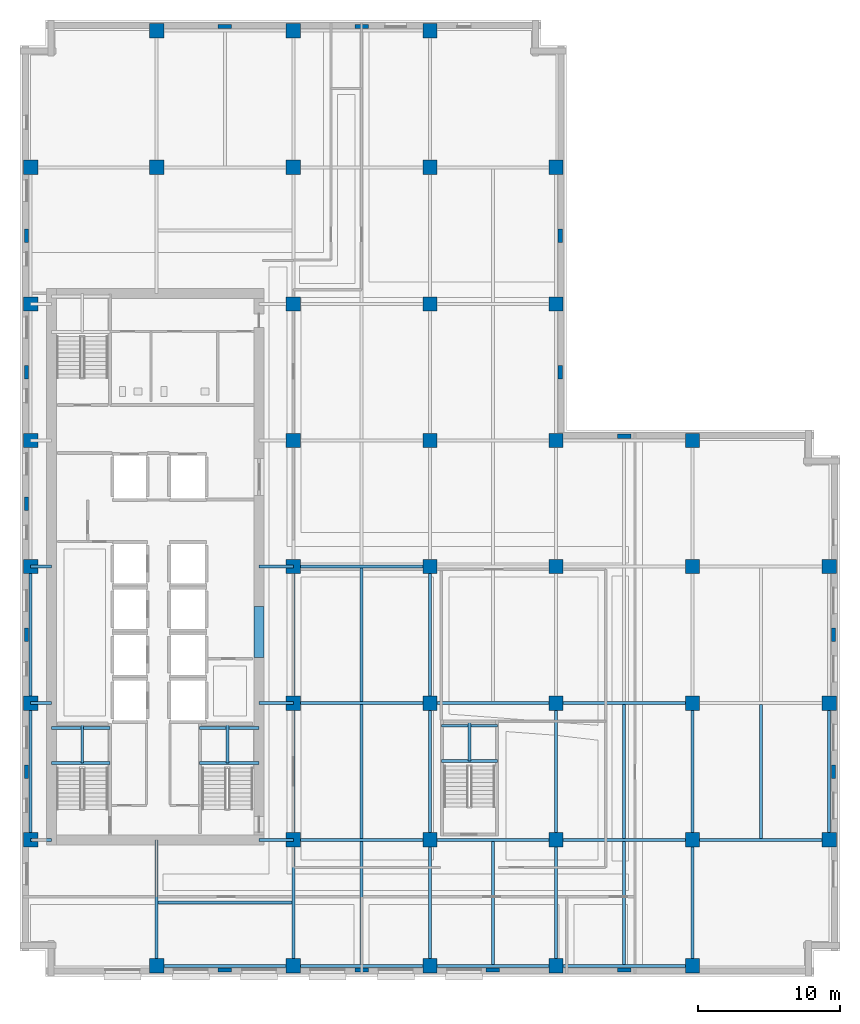
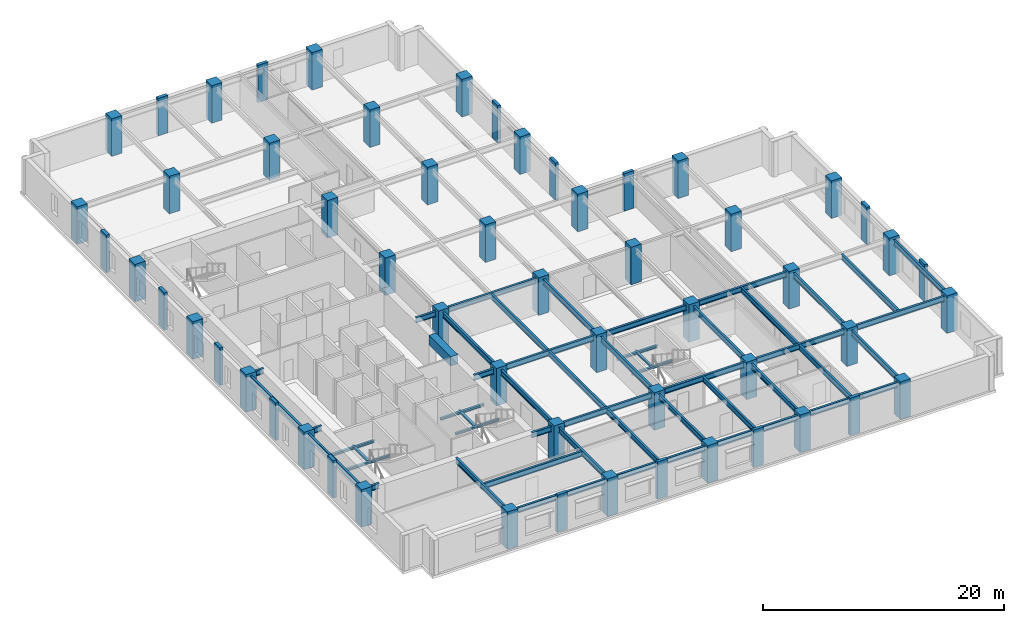
# One storey, part 1 of 12: 56 columns, 50 beams.
"""IFC4 building model written with IfcOpenShell, lengths in metres."""

from ifc_helpers import new_model, si_unit, direction, frame, origin, origin_2d, place, context, subcontext, project, spatial, rectangle, i_section, extrude, material, material_profile, profile_set, type_object, element, save


model = new_model("IFC4")

# Units and contexts
model_context = context("Model", 3, precision=1e-05, world=origin(), true_north=direction((0.0, 1.0)))
body_context = subcontext(model_context, "Body", "Model", "MODEL_VIEW")
ifc_project = project(units=[si_unit("LENGTHUNIT", "METRE"), si_unit("AREAUNIT", "SQUARE_METRE"), si_unit("VOLUMEUNIT", "CUBIC_METRE"), si_unit("PLANEANGLEUNIT", "RADIAN"), si_unit("MASSUNIT", "GRAM", prefix="KILO")], contexts=[model_context])

# Site, building, storey
site_placement = place(None, origin())
site = spatial("IfcSite", under=ifc_project, at=site_placement, CompositionType="ELEMENT")
building_placement = place(site_placement, origin())
building = spatial("IfcBuilding", under=site, at=building_placement, Name="Norrvale University Quadrangle", CompositionType="ELEMENT")
storey_placement = place(building_placement, frame((0.0, 0.0, 135.60009765625)))
storey = spatial("IfcBuildingStorey", under=building, at=storey_placement, Name="L34", CompositionType="ELEMENT", Elevation=135.60009765625)

# Columns
ifc_material_1 = material(Name="Red Manganese Brick Concrete C60/75", Category="concrete")
ifc_material_profile_1 = material_profile(ifc_material_1, rectangle(XDim=0.949951171875, YDim=0.300048828125, at=origin_2d()), Name="Red Manganese Brick Concrete C60/75")
ifc_profile_set_1 = profile_set([ifc_material_profile_1], Name="Red Manganese Brick Concrete C60/75")
column_type_1 = type_object("IfcColumnType", Name="Column Brick Pier 950x300", PredefinedType="PILASTER", material=ifc_profile_set_1)
for number, where, z_axis, x_axis, name in (
    (1, (0.449951171875, 14.39990234375, 0.0), (0.0, 0.0, 1.0), (0.0, 1.0, 0.0), "Exterior Brick Facade Pilaster L34-01"),
    (2, (0.449951171875, 24.0, 0.0), (0.0, 0.0, 1.0), (0.0, 1.0, 0.0), "Exterior Brick Facade Pilaster L34-02"),
    (3, (0.449951171875, 33.199951171875, 0.0), (0.0, 0.0, 1.0), (0.0, 1.0, 0.0), "Exterior Brick Facade Pilaster L34-03"),
    (4, (0.449951171875, 42.449951171875, 0.0), (0.0, 0.0, 1.0), (0.0, 1.0, 0.0), "Exterior Brick Facade Pilaster L34-04"),
    (5, (0.449951171875, 52.050048828125, 0.0), (0.0, 0.0, 1.0), (0.0, 1.0, 0.0), "Exterior Brick Facade Pilaster L34-05"),
    (6, (14.39990234375, 0.449951171875, 0.0), (0.0, 0.0, 1.0), (1.0, 0.0, 0.0), "Exterior Brick Facade Pilaster L34-06"),
    (7, (24.0, 0.449951171875, 0.0), (0.0, 0.0, 1.0), (1.0, 0.0, 0.0), "Exterior Brick Facade Pilaster L34-07"),
    (8, (33.199951171875, 0.449951171875, 0.0), (0.0, 0.0, 1.0), (1.0, 0.0, 0.0), "Exterior Brick Facade Pilaster L34-08"),
    (9, (42.449951171875, 0.449951171875, 0.0), (0.0, 0.0, 1.0), (1.0, 0.0, 0.0), "Exterior Brick Facade Pilaster L34-09"),
    (10, (57.14990234375, 14.39990234375, 0.0), (0.0, 0.0, 1.0), (0.0, 1.0, 0.0), "Exterior Brick Facade Pilaster L34-10"),
    (11, (57.14990234375, 24.0, 0.0), (0.0, 0.0, 1.0), (0.0, 1.0, 0.0), "Exterior Brick Facade Pilaster L34-11"),
    (12, (14.39990234375, 66.75, 0.0), (0.0, 0.0, 1.0), (1.0, 0.0, 0.0), "Exterior Brick Facade Pilaster L34-12"),
    (13, (24.0, 66.75, 0.0), (0.0, 0.0, 1.0), (1.0, 0.0, 0.0), "Exterior Brick Facade Pilaster L34-13"),
    (14, (37.949951171875, 42.449951171875, 0.0), (0.0, 0.0, 1.0), (0.0, 1.0, 0.0), "Exterior Brick Facade Pilaster L34-14"),
    (15, (37.949951171875, 52.050048828125, 0.0), (0.0, 0.0, 1.0), (0.0, 1.0, 0.0), "Exterior Brick Facade Pilaster L34-15"),
    (16, (42.449951171875, 37.949951171875, 0.0), (0.0, 0.0, 1.0), (1.0, 0.0, 0.0), "Exterior Brick Facade Pilaster L34-16"),
):
    element("IfcColumn", number, at=place(storey_placement, frame(where, z_axis=z_axis, x_axis=x_axis)), inside=storey, type_object=column_type_1, Name=name, PredefinedType="PILASTER", context=body_context, shape_type="SweptSolid", body=[
        extrude(rectangle(XDim=0.949951171875, YDim=0.300048828125, at=origin_2d()), origin(), (0.0, 0.0, 1.0), 3.7998046875),
    ])
ifc_material_2 = material(Name="Concrete C60/75", Category="concrete")
ifc_material_profile_2 = material_profile(ifc_material_2, rectangle(XDim=1.0, YDim=1.0, at=origin_2d()), Name="Concrete C60/75")
ifc_profile_set_2 = profile_set([ifc_material_profile_2], Name="Concrete C60/75")
column_type_2 = type_object("IfcColumnType", Name="Column Tower Z2 1000x1000", PredefinedType="COLUMN", material=ifc_profile_set_2)
for number, where, z_axis, x_axis, name in (
    (17, (0.75, 9.60009765625, 0.0), (0.0, 0.0, 1.0), (1.0, 0.0, 0.0), "Tower Column L34-T01"),
    (18, (0.75, 19.199951171875, 0.0), (0.0, 0.0, 1.0), (1.0, 0.0, 0.0), "Tower Column L34-T02"),
    (19, (0.75, 28.800048828125, 0.0), (0.0, 0.0, 1.0), (1.0, 0.0, 0.0), "Tower Column L34-T03"),
    (20, (0.75, 37.64990234375, 0.0), (0.0, 0.0, 1.0), (1.0, 0.0, 0.0), "Tower Column L34-T04"),
    (21, (0.75, 47.25, 0.0), (0.0, 0.0, 1.0), (1.0, 0.0, 0.0), "Tower Column L34-T05"),
    (22, (0.75, 56.85009765625, 0.0), (0.0, 0.0, 1.0), (1.0, 0.0, 0.0), "Tower Column L34-T06"),
    (23, (9.60009765625, 0.75, 0.0), (0.0, 0.0, 1.0), (1.0, 0.0, 0.0), "Tower Column L34-T07"),
    (24, (9.60009765625, 56.85009765625, 0.0), (0.0, 0.0, 1.0), (1.0, 0.0, 0.0), "Tower Column L34-T08"),
    (25, (9.60009765625, 66.449951171875, 0.0), (0.0, 0.0, 1.0), (1.0, 0.0, 0.0), "Tower Column L34-T09"),
    (26, (19.199951171875, 0.75, 0.0), (0.0, 0.0, 1.0), (1.0, 0.0, 0.0), "Tower Column L34-T10"),
    (27, (19.199951171875, 9.60009765625, 0.0), (0.0, 0.0, 1.0), (1.0, 0.0, 0.0), "Tower Column L34-T11"),
    (28, (19.199951171875, 19.199951171875, 0.0), (0.0, 0.0, 1.0), (1.0, 0.0, 0.0), "Tower Column L34-T12"),
    (29, (19.199951171875, 28.800048828125, 0.0), (0.0, 0.0, 1.0), (1.0, 0.0, 0.0), "Tower Column L34-T13"),
    (30, (19.199951171875, 37.64990234375, 0.0), (0.0, 0.0, 1.0), (1.0, 0.0, 0.0), "Tower Column L34-T14"),
    (31, (19.199951171875, 47.25, 0.0), (0.0, 0.0, 1.0), (1.0, 0.0, 0.0), "Tower Column L34-T15"),
    (32, (19.199951171875, 56.85009765625, 0.0), (0.0, 0.0, 1.0), (1.0, 0.0, 0.0), "Tower Column L34-T16"),
    (33, (19.199951171875, 66.449951171875, 0.0), (0.0, 0.0, 1.0), (1.0, 0.0, 0.0), "Tower Column L34-T17"),
    (34, (28.800048828125, 0.75, 0.0), (0.0, 0.0, 1.0), (1.0, 0.0, 0.0), "Tower Column L34-T18"),
    (35, (28.800048828125, 9.60009765625, 0.0), (0.0, 0.0, 1.0), (1.0, 0.0, 0.0), "Tower Column L34-T19"),
    (36, (28.800048828125, 19.199951171875, 0.0), (0.0, 0.0, 1.0), (1.0, 0.0, 0.0), "Tower Column L34-T20"),
    (37, (28.800048828125, 28.800048828125, 0.0), (0.0, 0.0, 1.0), (1.0, 0.0, 0.0), "Tower Column L34-T21"),
    (38, (28.800048828125, 37.64990234375, 0.0), (0.0, 0.0, 1.0), (1.0, 0.0, 0.0), "Tower Column L34-T22"),
    (39, (28.800048828125, 47.25, 0.0), (0.0, 0.0, 1.0), (1.0, 0.0, 0.0), "Tower Column L34-T23"),
    (40, (28.800048828125, 56.85009765625, 0.0), (0.0, 0.0, 1.0), (1.0, 0.0, 0.0), "Tower Column L34-T24"),
    (41, (28.800048828125, 66.449951171875, 0.0), (0.0, 0.0, 1.0), (1.0, 0.0, 0.0), "Tower Column L34-T25"),
    (42, (37.64990234375, 0.75, 0.0), (0.0, 0.0, 1.0), (1.0, 0.0, 0.0), "Tower Column L34-T26"),
    (43, (37.64990234375, 9.60009765625, 0.0), (0.0, 0.0, 1.0), (1.0, 0.0, 0.0), "Tower Column L34-T27"),
    (44, (37.64990234375, 19.199951171875, 0.0), (0.0, 0.0, 1.0), (1.0, 0.0, 0.0), "Tower Column L34-T28"),
    (45, (37.64990234375, 28.800048828125, 0.0), (0.0, 0.0, 1.0), (1.0, 0.0, 0.0), "Tower Column L34-T29"),
    (46, (37.64990234375, 37.64990234375, 0.0), (0.0, 0.0, 1.0), (1.0, 0.0, 0.0), "Tower Column L34-T30"),
    (47, (37.64990234375, 47.25, 0.0), (0.0, 0.0, 1.0), (1.0, 0.0, 0.0), "Tower Column L34-T31"),
    (48, (37.64990234375, 56.85009765625, 0.0), (0.0, 0.0, 1.0), (1.0, 0.0, 0.0), "Tower Column L34-T32"),
    (49, (47.25, 0.75, 0.0), (0.0, 0.0, 1.0), (1.0, 0.0, 0.0), "Tower Column L34-T33"),
    (50, (47.25, 9.60009765625, 0.0), (0.0, 0.0, 1.0), (1.0, 0.0, 0.0), "Tower Column L34-T34"),
    (51, (47.25, 19.199951171875, 0.0), (0.0, 0.0, 1.0), (1.0, 0.0, 0.0), "Tower Column L34-T35"),
    (52, (47.25, 28.800048828125, 0.0), (0.0, 0.0, 1.0), (1.0, 0.0, 0.0), "Tower Column L34-T36"),
    (53, (47.25, 37.64990234375, 0.0), (0.0, 0.0, 1.0), (1.0, 0.0, 0.0), "Tower Column L34-T37"),
    (54, (56.85009765625, 9.60009765625, 0.0), (0.0, 0.0, 1.0), (1.0, 0.0, 0.0), "Tower Column L34-T38"),
    (55, (56.85009765625, 19.199951171875, 0.0), (0.0, 0.0, 1.0), (1.0, 0.0, 0.0), "Tower Column L34-T39"),
    (56, (56.85009765625, 28.800048828125, 0.0), (0.0, 0.0, 1.0), (1.0, 0.0, 0.0), "Tower Column L34-T40"),
):
    element("IfcColumn", number, at=place(storey_placement, frame(where, z_axis=z_axis, x_axis=x_axis)), inside=storey, type_object=column_type_2, Name=name, PredefinedType="COLUMN", context=body_context, shape_type="SweptSolid", body=[
        extrude(rectangle(XDim=1.0, YDim=1.0, at=origin_2d()), origin(), (0.0, 0.0, 1.0), 3.7998046875),
    ])

# Beams
ifc_material_3 = material(Name="Concrete C80/95", Category="concrete")
ifc_material_profile_3 = material_profile(ifc_material_3, rectangle(XDim=0.699951171875, YDim=0.949951171875, at=origin_2d()), Name="Concrete C80/95")
ifc_profile_set_3 = profile_set([ifc_material_profile_3], Name="Concrete C80/95")
beam_type_1 = type_object("IfcBeamType", Name="Beam Core Link 700x950", PredefinedType="LINTEL", material=ifc_profile_set_3)
beam_1_placement = place(storey_placement, frame((16.800048828125, 22.39990234375, 3.06494140625), z_axis=(0.0, 1.0, 0.0), x_axis=(-1.0, 0.0, 0.0)))
element("IfcBeam", 57, at=beam_1_placement, inside=storey, type_object=beam_type_1, Name="Core Coupling Lintel Beam L34-1", PredefinedType="LINTEL", context=body_context, shape_type="SweptSolid", body=[
    extrude(rectangle(XDim=0.699951171875, YDim=0.949951171875, at=origin_2d()), origin(), (0.0, 0.0, 1.0), 3.60009765625),
])
ifc_material_4 = material(Name="Steel 350W", Category="steel")
ifc_material_profile_4 = material_profile(ifc_material_4, i_section(OverallWidth=0.2119140625, OverallDepth=0.5439453125, WebThickness=0.01318359375, FlangeThickness=0.021240234375, FilletRadius=0.013916015625, at=origin_2d()), Name="Steel 350W")
ifc_profile_set_4 = profile_set([ifc_material_profile_4], Name="Steel 350W")
beam_type_2 = type_object("IfcBeamType", Name="Beam Floor W530x123", PredefinedType="BEAM", material=ifc_profile_set_4)
beam_2_placement = place(storey_placement, frame((9.60009765625, 0.75, 3.267822265625), z_axis=(1.0, 0.0, 0.0), x_axis=(0.0, 1.0, 0.0)))
element("IfcBeam", 58, at=beam_2_placement, inside=storey, type_object=beam_type_2, Name="Beam Floor W530x123 BM-L34-GX001", PredefinedType="BEAM", context=body_context, shape_type="SweptSolid", body=[
    extrude(i_section(OverallWidth=0.2119140625, OverallDepth=0.5439453125, WebThickness=0.01318359375, FlangeThickness=0.021240234375, FilletRadius=0.013916015625, at=origin_2d()), origin(), (0.0, 0.0, 1.0), 9.599853515625),
])
beam_3_placement = place(storey_placement, frame((19.199951171875, 0.75, 3.267822265625), z_axis=(1.0, 0.0, 0.0), x_axis=(0.0, 1.0, 0.0)))
element("IfcBeam", 59, at=beam_3_placement, inside=storey, type_object=beam_type_2, Name="Beam Floor W530x123 BM-L34-GX002", PredefinedType="BEAM", context=body_context, shape_type="SweptSolid", body=[
    extrude(i_section(OverallWidth=0.2119140625, OverallDepth=0.5439453125, WebThickness=0.01318359375, FlangeThickness=0.021240234375, FilletRadius=0.013916015625, at=origin_2d()), origin(), (0.0, 0.0, 1.0), 9.60009765625),
])
beam_4_placement = place(storey_placement, frame((28.800048828125, 0.75, 3.267822265625), z_axis=(1.0, 0.0, 0.0), x_axis=(0.0, 1.0, 0.0)))
element("IfcBeam", 60, at=beam_4_placement, inside=storey, type_object=beam_type_2, Name="Beam Floor W530x123 BM-L34-GX003", PredefinedType="BEAM", context=body_context, shape_type="SweptSolid", body=[
    extrude(i_section(OverallWidth=0.2119140625, OverallDepth=0.5439453125, WebThickness=0.01318359375, FlangeThickness=0.021240234375, FilletRadius=0.013916015625, at=origin_2d()), origin(), (0.0, 0.0, 1.0), 8.849853515625),
])
for number, where, z_axis, x_axis, name in (
    (61, (37.64990234375, 0.75, 3.267822265625), (1.0, 0.0, 0.0), (0.0, 1.0, 0.0), "Beam Floor W530x123 BM-L34-GX004"),
    (62, (19.199951171875, 9.60009765625, 3.267822265625), (1.0, 0.0, 0.0), (0.0, 1.0, 0.0), "Beam Floor W530x123 BM-L34-GX005"),
):
    element("IfcBeam", number, at=place(storey_placement, frame(where, z_axis=z_axis, x_axis=x_axis)), inside=storey, type_object=beam_type_2, Name=name, PredefinedType="BEAM", context=body_context, shape_type="SweptSolid", body=[
        extrude(i_section(OverallWidth=0.2119140625, OverallDepth=0.5439453125, WebThickness=0.01318359375, FlangeThickness=0.021240234375, FilletRadius=0.013916015625, at=origin_2d()), origin(), (0.0, 0.0, 1.0), 9.60009765625),
    ])
beam_5_placement = place(storey_placement, frame((28.800048828125, 9.60009765625, 3.267822265625), z_axis=(1.0, 0.0, 0.0), x_axis=(0.0, 1.0, 0.0)))
element("IfcBeam", 63, at=beam_5_placement, inside=storey, type_object=beam_type_2, Name="Beam Floor W530x123 BM-L34-GX006", PredefinedType="BEAM", context=body_context, shape_type="SweptSolid", body=[
    extrude(i_section(OverallWidth=0.2119140625, OverallDepth=0.5439453125, WebThickness=0.01318359375, FlangeThickness=0.021240234375, FilletRadius=0.013916015625, at=origin_2d()), origin(), (0.0, 0.0, 1.0), 8.849853515625),
])
for number, where, z_axis, x_axis, name in (
    (64, (37.64990234375, 9.60009765625, 3.267822265625), (1.0, 0.0, 0.0), (0.0, 1.0, 0.0), "Beam Floor W530x123 BM-L34-GX007"),
    (65, (47.25, 9.60009765625, 3.267822265625), (1.0, 0.0, 0.0), (0.0, 1.0, 0.0), "Beam Floor W530x123 BM-L34-GX008"),
    (66, (19.199951171875, 19.199951171875, 3.267822265625), (1.0, 0.0, 0.0), (0.0, 1.0, 0.0), "Beam Floor W530x123 BM-L34-GX009"),
):
    element("IfcBeam", number, at=place(storey_placement, frame(where, z_axis=z_axis, x_axis=x_axis)), inside=storey, type_object=beam_type_2, Name=name, PredefinedType="BEAM", context=body_context, shape_type="SweptSolid", body=[
        extrude(i_section(OverallWidth=0.2119140625, OverallDepth=0.5439453125, WebThickness=0.01318359375, FlangeThickness=0.021240234375, FilletRadius=0.013916015625, at=origin_2d()), origin(), (0.0, 0.0, 1.0), 9.60009765625),
    ])
beam_6_placement = place(storey_placement, frame((28.800048828125, 19.199951171875, 3.267822265625), z_axis=(1.0, 0.0, 0.0), x_axis=(0.0, 1.0, 0.0)))
element("IfcBeam", 67, at=beam_6_placement, inside=storey, type_object=beam_type_2, Name="Beam Floor W530x123 BM-L34-GX010", PredefinedType="BEAM", context=body_context, shape_type="SweptSolid", body=[
    extrude(i_section(OverallWidth=0.2119140625, OverallDepth=0.5439453125, WebThickness=0.01318359375, FlangeThickness=0.021240234375, FilletRadius=0.013916015625, at=origin_2d()), origin(), (0.0, 0.0, 1.0), 8.849853515625),
])
for number, where, z_axis, x_axis, name in (
    (68, (37.64990234375, 19.199951171875, 3.267822265625), (1.0, 0.0, 0.0), (0.0, 1.0, 0.0), "Beam Floor W530x123 BM-L34-GX011"),
    (69, (19.199951171875, 28.800048828125, 3.267822265625), (1.0, 0.0, 0.0), (0.0, 1.0, 0.0), "Beam Floor W530x123 BM-L34-GX013"),
):
    element("IfcBeam", number, at=place(storey_placement, frame(where, z_axis=z_axis, x_axis=x_axis)), inside=storey, type_object=beam_type_2, Name=name, PredefinedType="BEAM", context=body_context, shape_type="SweptSolid", body=[
        extrude(i_section(OverallWidth=0.2119140625, OverallDepth=0.5439453125, WebThickness=0.01318359375, FlangeThickness=0.021240234375, FilletRadius=0.013916015625, at=origin_2d()), origin(), (0.0, 0.0, 1.0), 9.60009765625),
    ])
beam_7_placement = place(storey_placement, frame((0.75, 9.60009765625, 3.267822265625), z_axis=(0.0, 1.0, 0.0), x_axis=(-1.0, 0.0, 0.0)))
element("IfcBeam", 70, at=beam_7_placement, inside=storey, type_object=beam_type_2, Name="Beam Floor W530x123 BM-L34-GY028", PredefinedType="BEAM", context=body_context, shape_type="SweptSolid", body=[
    extrude(i_section(OverallWidth=0.2119140625, OverallDepth=0.5439453125, WebThickness=0.01318359375, FlangeThickness=0.021240234375, FilletRadius=0.013916015625, at=origin_2d()), origin(), (0.0, 0.0, 1.0), 9.599853515625),
])
beam_8_placement = place(storey_placement, frame((0.75, 19.199951171875, 3.267822265625), z_axis=(0.0, 1.0, 0.0), x_axis=(-1.0, 0.0, 0.0)))
element("IfcBeam", 71, at=beam_8_placement, inside=storey, type_object=beam_type_2, Name="Beam Floor W530x123 BM-L34-GY029", PredefinedType="BEAM", context=body_context, shape_type="SweptSolid", body=[
    extrude(i_section(OverallWidth=0.2119140625, OverallDepth=0.5439453125, WebThickness=0.01318359375, FlangeThickness=0.021240234375, FilletRadius=0.013916015625, at=origin_2d()), origin(), (0.0, 0.0, 1.0), 9.60009765625),
])
beam_9_placement = place(storey_placement, frame((19.199951171875, 0.75, 3.267822265625), z_axis=(0.0, 1.0, 0.0), x_axis=(-1.0, 0.0, 0.0)))
element("IfcBeam", 72, at=beam_9_placement, inside=storey, type_object=beam_type_2, Name="Beam Floor W530x123 BM-L34-GY034", PredefinedType="BEAM", context=body_context, shape_type="SweptSolid", body=[
    extrude(i_section(OverallWidth=0.2119140625, OverallDepth=0.5439453125, WebThickness=0.01318359375, FlangeThickness=0.021240234375, FilletRadius=0.013916015625, at=origin_2d()), origin(), (0.0, 0.0, 1.0), 8.85009765625),
])
beam_10_placement = place(storey_placement, frame((19.199951171875, 9.60009765625, 3.267822265625), z_axis=(0.0, 1.0, 0.0), x_axis=(-1.0, 0.0, 0.0)))
element("IfcBeam", 73, at=beam_10_placement, inside=storey, type_object=beam_type_2, Name="Beam Floor W530x123 BM-L34-GY035", PredefinedType="BEAM", context=body_context, shape_type="SweptSolid", body=[
    extrude(i_section(OverallWidth=0.2119140625, OverallDepth=0.5439453125, WebThickness=0.01318359375, FlangeThickness=0.021240234375, FilletRadius=0.013916015625, at=origin_2d()), origin(), (0.0, 0.0, 1.0), 9.599853515625),
])
beam_11_placement = place(storey_placement, frame((19.199951171875, 19.199951171875, 3.267822265625), z_axis=(0.0, 1.0, 0.0), x_axis=(-1.0, 0.0, 0.0)))
element("IfcBeam", 74, at=beam_11_placement, inside=storey, type_object=beam_type_2, Name="Beam Floor W530x123 BM-L34-GY036", PredefinedType="BEAM", context=body_context, shape_type="SweptSolid", body=[
    extrude(i_section(OverallWidth=0.2119140625, OverallDepth=0.5439453125, WebThickness=0.01318359375, FlangeThickness=0.021240234375, FilletRadius=0.013916015625, at=origin_2d()), origin(), (0.0, 0.0, 1.0), 9.60009765625),
])
beam_12_placement = place(storey_placement, frame((28.800048828125, 0.75, 3.267822265625), z_axis=(0.0, 1.0, 0.0), x_axis=(-1.0, 0.0, 0.0)))
element("IfcBeam", 75, at=beam_12_placement, inside=storey, type_object=beam_type_2, Name="Beam Floor W530x123 BM-L34-GY041", PredefinedType="BEAM", context=body_context, shape_type="SweptSolid", body=[
    extrude(i_section(OverallWidth=0.2119140625, OverallDepth=0.5439453125, WebThickness=0.01318359375, FlangeThickness=0.021240234375, FilletRadius=0.013916015625, at=origin_2d()), origin(), (0.0, 0.0, 1.0), 8.85009765625),
])
beam_13_placement = place(storey_placement, frame((28.800048828125, 9.60009765625, 3.267822265625), z_axis=(0.0, 1.0, 0.0), x_axis=(-1.0, 0.0, 0.0)))
element("IfcBeam", 76, at=beam_13_placement, inside=storey, type_object=beam_type_2, Name="Beam Floor W530x123 BM-L34-GY042", PredefinedType="BEAM", context=body_context, shape_type="SweptSolid", body=[
    extrude(i_section(OverallWidth=0.2119140625, OverallDepth=0.5439453125, WebThickness=0.01318359375, FlangeThickness=0.021240234375, FilletRadius=0.013916015625, at=origin_2d()), origin(), (0.0, 0.0, 1.0), 9.599853515625),
])
beam_14_placement = place(storey_placement, frame((28.800048828125, 19.199951171875, 3.267822265625), z_axis=(0.0, 1.0, 0.0), x_axis=(-1.0, 0.0, 0.0)))
element("IfcBeam", 77, at=beam_14_placement, inside=storey, type_object=beam_type_2, Name="Beam Floor W530x123 BM-L34-GY043", PredefinedType="BEAM", context=body_context, shape_type="SweptSolid", body=[
    extrude(i_section(OverallWidth=0.2119140625, OverallDepth=0.5439453125, WebThickness=0.01318359375, FlangeThickness=0.021240234375, FilletRadius=0.013916015625, at=origin_2d()), origin(), (0.0, 0.0, 1.0), 9.60009765625),
])
beam_15_placement = place(storey_placement, frame((37.64990234375, 0.75, 3.267822265625), z_axis=(0.0, 1.0, 0.0), x_axis=(-1.0, 0.0, 0.0)))
element("IfcBeam", 78, at=beam_15_placement, inside=storey, type_object=beam_type_2, Name="Beam Floor W530x123 BM-L34-GY048", PredefinedType="BEAM", context=body_context, shape_type="SweptSolid", body=[
    extrude(i_section(OverallWidth=0.2119140625, OverallDepth=0.5439453125, WebThickness=0.01318359375, FlangeThickness=0.021240234375, FilletRadius=0.013916015625, at=origin_2d()), origin(), (0.0, 0.0, 1.0), 8.85009765625),
])
beam_16_placement = place(storey_placement, frame((37.64990234375, 9.60009765625, 3.267822265625), z_axis=(0.0, 1.0, 0.0), x_axis=(-1.0, 0.0, 0.0)))
element("IfcBeam", 79, at=beam_16_placement, inside=storey, type_object=beam_type_2, Name="Beam Floor W530x123 BM-L34-GY049", PredefinedType="BEAM", context=body_context, shape_type="SweptSolid", body=[
    extrude(i_section(OverallWidth=0.2119140625, OverallDepth=0.5439453125, WebThickness=0.01318359375, FlangeThickness=0.021240234375, FilletRadius=0.013916015625, at=origin_2d()), origin(), (0.0, 0.0, 1.0), 9.599853515625),
])
beam_17_placement = place(storey_placement, frame((47.25, 0.75, 3.267822265625), z_axis=(0.0, 1.0, 0.0), x_axis=(-1.0, 0.0, 0.0)))
element("IfcBeam", 80, at=beam_17_placement, inside=storey, type_object=beam_type_2, Name="Beam Floor W530x123 BM-L34-GY054", PredefinedType="BEAM", context=body_context, shape_type="SweptSolid", body=[
    extrude(i_section(OverallWidth=0.2119140625, OverallDepth=0.5439453125, WebThickness=0.01318359375, FlangeThickness=0.021240234375, FilletRadius=0.013916015625, at=origin_2d()), origin(), (0.0, 0.0, 1.0), 8.85009765625),
])
for number, where, z_axis, x_axis, name in (
    (81, (47.25, 9.60009765625, 3.267822265625), (0.0, 1.0, 0.0), (-1.0, 0.0, 0.0), "Beam Floor W530x123 BM-L34-GY055"),
    (82, (56.85009765625, 9.60009765625, 3.267822265625), (0.0, 1.0, 0.0), (-1.0, 0.0, 0.0), "Beam Floor W530x123 BM-L34-GY058"),
):
    element("IfcBeam", number, at=place(storey_placement, frame(where, z_axis=z_axis, x_axis=x_axis)), inside=storey, type_object=beam_type_2, Name=name, PredefinedType="BEAM", context=body_context, shape_type="SweptSolid", body=[
        extrude(i_section(OverallWidth=0.2119140625, OverallDepth=0.5439453125, WebThickness=0.01318359375, FlangeThickness=0.021240234375, FilletRadius=0.013916015625, at=origin_2d()), origin(), (0.0, 0.0, 1.0), 9.599853515625),
    ])
beam_18_placement = place(storey_placement, frame((0.75, 9.60009765625, 3.267822265625), z_axis=(1.0, 0.0, 0.0), x_axis=(0.0, 1.0, 0.0)))
element("IfcBeam", 83, at=beam_18_placement, inside=storey, type_object=beam_type_2, Name="Beam Floor W530x123 BM-L34-GCW060", PredefinedType="BEAM", context=body_context, shape_type="SweptSolid", body=[
    extrude(i_section(OverallWidth=0.2119140625, OverallDepth=0.5439453125, WebThickness=0.01318359375, FlangeThickness=0.021240234375, FilletRadius=0.013916015625, at=origin_2d()), origin(), (0.0, 0.0, 1.0), 1.449951171875),
])
beam_19_placement = place(storey_placement, frame((16.800048828125, 9.60009765625, 3.267822265625), z_axis=(1.0, 0.0, 0.0), x_axis=(0.0, 1.0, 0.0)))
element("IfcBeam", 84, at=beam_19_placement, inside=storey, type_object=beam_type_2, Name="Beam Floor W530x123 BM-L34-GCE061", PredefinedType="BEAM", context=body_context, shape_type="SweptSolid", body=[
    extrude(i_section(OverallWidth=0.2119140625, OverallDepth=0.5439453125, WebThickness=0.01318359375, FlangeThickness=0.021240234375, FilletRadius=0.013916015625, at=origin_2d()), origin(), (0.0, 0.0, 1.0), 2.39990234375),
])
beam_20_placement = place(storey_placement, frame((0.75, 19.199951171875, 3.267822265625), z_axis=(1.0, 0.0, 0.0), x_axis=(0.0, 1.0, 0.0)))
element("IfcBeam", 85, at=beam_20_placement, inside=storey, type_object=beam_type_2, Name="Beam Floor W530x123 BM-L34-GCW062", PredefinedType="BEAM", context=body_context, shape_type="SweptSolid", body=[
    extrude(i_section(OverallWidth=0.2119140625, OverallDepth=0.5439453125, WebThickness=0.01318359375, FlangeThickness=0.021240234375, FilletRadius=0.013916015625, at=origin_2d()), origin(), (0.0, 0.0, 1.0), 1.449951171875),
])
beam_21_placement = place(storey_placement, frame((16.800048828125, 19.199951171875, 3.267822265625), z_axis=(1.0, 0.0, 0.0), x_axis=(0.0, 1.0, 0.0)))
element("IfcBeam", 86, at=beam_21_placement, inside=storey, type_object=beam_type_2, Name="Beam Floor W530x123 BM-L34-GCE063", PredefinedType="BEAM", context=body_context, shape_type="SweptSolid", body=[
    extrude(i_section(OverallWidth=0.2119140625, OverallDepth=0.5439453125, WebThickness=0.01318359375, FlangeThickness=0.021240234375, FilletRadius=0.013916015625, at=origin_2d()), origin(), (0.0, 0.0, 1.0), 2.39990234375),
])
beam_22_placement = place(storey_placement, frame((0.75, 28.800048828125, 3.267822265625), z_axis=(1.0, 0.0, 0.0), x_axis=(0.0, 1.0, 0.0)))
element("IfcBeam", 87, at=beam_22_placement, inside=storey, type_object=beam_type_2, Name="Beam Floor W530x123 BM-L34-GCW064", PredefinedType="BEAM", context=body_context, shape_type="SweptSolid", body=[
    extrude(i_section(OverallWidth=0.2119140625, OverallDepth=0.5439453125, WebThickness=0.01318359375, FlangeThickness=0.021240234375, FilletRadius=0.013916015625, at=origin_2d()), origin(), (0.0, 0.0, 1.0), 1.449951171875),
])
beam_23_placement = place(storey_placement, frame((16.800048828125, 28.800048828125, 3.267822265625), z_axis=(1.0, 0.0, 0.0), x_axis=(0.0, 1.0, 0.0)))
element("IfcBeam", 88, at=beam_23_placement, inside=storey, type_object=beam_type_2, Name="Beam Floor W530x123 BM-L34-GCE065", PredefinedType="BEAM", context=body_context, shape_type="SweptSolid", body=[
    extrude(i_section(OverallWidth=0.2119140625, OverallDepth=0.5439453125, WebThickness=0.01318359375, FlangeThickness=0.021240234375, FilletRadius=0.013916015625, at=origin_2d()), origin(), (0.0, 0.0, 1.0), 2.39990234375),
])
beam_24_placement = place(storey_placement, frame((9.60009765625, 0.75, 3.267822265625), z_axis=(0.0, 1.0, 0.0), x_axis=(-1.0, 0.0, 0.0)))
element("IfcBeam", 89, at=beam_24_placement, inside=storey, type_object=beam_type_2, Name="Beam Floor W530x123 BM-L34-GCS089", PredefinedType="BEAM", context=body_context, shape_type="SweptSolid", body=[
    extrude(i_section(OverallWidth=0.2119140625, OverallDepth=0.5439453125, WebThickness=0.01318359375, FlangeThickness=0.021240234375, FilletRadius=0.013916015625, at=origin_2d()), origin(), (0.0, 0.0, 1.0), 8.85009765625),
])
ifc_material_profile_5 = material_profile(ifc_material_4, i_section(OverallWidth=0.208984375, OverallDepth=0.532958984375, WebThickness=0.01025390625, FlangeThickness=0.015625, FilletRadius=0.013916015625, at=origin_2d()), Name="Steel 350W")
ifc_profile_set_5 = profile_set([ifc_material_profile_5], Name="Steel 350W")
beam_type_3 = type_object("IfcBeamType", Name="Beam Floor W530x92", PredefinedType="JOIST", material=ifc_profile_set_5)
beam_25_placement = place(storey_placement, frame((24.0, 0.85595703125, 3.2734375), z_axis=(0.0, 1.0, 0.0), x_axis=(-1.0, 0.0, 0.0)))
element("IfcBeam", 90, at=beam_25_placement, inside=storey, type_object=beam_type_3, Name="Beam Floor W530x92 BM-L34-J071", PredefinedType="JOIST", context=body_context, shape_type="SweptSolid", body=[
    extrude(i_section(OverallWidth=0.208984375, OverallDepth=0.532958984375, WebThickness=0.01025390625, FlangeThickness=0.015625, FilletRadius=0.013916015625, at=origin_2d()), origin(), (0.0, 0.0, 1.0), 8.637939453125),
])
beam_26_placement = place(storey_placement, frame((24.0, 9.7060546875, 3.2734375), z_axis=(0.0, 1.0, 0.0), x_axis=(-1.0, 0.0, 0.0)))
element("IfcBeam", 91, at=beam_26_placement, inside=storey, type_object=beam_type_3, Name="Beam Floor W530x92 BM-L34-J072", PredefinedType="JOIST", context=body_context, shape_type="SweptSolid", body=[
    extrude(i_section(OverallWidth=0.208984375, OverallDepth=0.532958984375, WebThickness=0.01025390625, FlangeThickness=0.015625, FilletRadius=0.013916015625, at=origin_2d()), origin(), (0.0, 0.0, 1.0), 9.387939453125),
])
beam_27_placement = place(storey_placement, frame((24.0, 19.305908203125, 3.2734375), z_axis=(0.0, 1.0, 0.0), x_axis=(-1.0, 0.0, 0.0)))
element("IfcBeam", 92, at=beam_27_placement, inside=storey, type_object=beam_type_3, Name="Beam Floor W530x92 BM-L34-J073", PredefinedType="JOIST", context=body_context, shape_type="SweptSolid", body=[
    extrude(i_section(OverallWidth=0.208984375, OverallDepth=0.532958984375, WebThickness=0.01025390625, FlangeThickness=0.015625, FilletRadius=0.013916015625, at=origin_2d()), origin(), (0.0, 0.0, 1.0), 9.38818359375),
])
for number, where, z_axis, x_axis, name in (
    (93, (33.22509765625, 0.85595703125, 3.2734375), (0.0, 1.0, 0.0), (-1.0, 0.0, 0.0), "Beam Floor W530x92 BM-L34-J078"),
    (94, (42.449951171875, 0.85595703125, 3.2734375), (0.0, 1.0, 0.0), (-1.0, 0.0, 0.0), "Beam Floor W530x92 BM-L34-J083"),
):
    element("IfcBeam", number, at=place(storey_placement, frame(where, z_axis=z_axis, x_axis=x_axis)), inside=storey, type_object=beam_type_3, Name=name, PredefinedType="JOIST", context=body_context, shape_type="SweptSolid", body=[
        extrude(i_section(OverallWidth=0.208984375, OverallDepth=0.532958984375, WebThickness=0.01025390625, FlangeThickness=0.015625, FilletRadius=0.013916015625, at=origin_2d()), origin(), (0.0, 0.0, 1.0), 8.637939453125),
    ])
for number, where, z_axis, x_axis, name in (
    (95, (42.449951171875, 9.7060546875, 3.2734375), (0.0, 1.0, 0.0), (-1.0, 0.0, 0.0), "Beam Floor W530x92 BM-L34-J084"),
    (96, (52.050048828125, 9.7060546875, 3.2734375), (0.0, 1.0, 0.0), (-1.0, 0.0, 0.0), "Beam Floor W530x92 BM-L34-J087"),
    (97, (9.7060546875, 5.199951171875, 3.2734375), (1.0, 0.0, 0.0), (0.0, 1.0, 0.0), "Beam Floor W530x92 BM-L34-JCS090"),
):
    element("IfcBeam", number, at=place(storey_placement, frame(where, z_axis=z_axis, x_axis=x_axis)), inside=storey, type_object=beam_type_3, Name=name, PredefinedType="JOIST", context=body_context, shape_type="SweptSolid", body=[
        extrude(i_section(OverallWidth=0.208984375, OverallDepth=0.532958984375, WebThickness=0.01025390625, FlangeThickness=0.015625, FilletRadius=0.013916015625, at=origin_2d()), origin(), (0.0, 0.0, 1.0), 9.387939453125),
    ])
ifc_material_profile_6 = material_profile(ifc_material_4, i_section(OverallWidth=0.201904296875, OverallDepth=0.2470703125, WebThickness=0.00732421875, FlangeThickness=0.010986328125, FilletRadius=0.011962890625, at=origin_2d()), Name="Steel 350W")
ifc_profile_set_6 = profile_set([ifc_material_profile_6], Name="Steel 350W")
beam_type_4 = type_object("IfcBeamType", Name="Beam Stair W250x49", PredefinedType="BEAM", material=ifc_profile_set_6)
for number, where, z_axis, x_axis, name in (
    (98, (2.199951171875, 14.989990234375, 1.576416015625), (1.0, 0.0, 0.0), (0.0, 1.0, 0.0), "Stair Mid-Landing Front Beam ST-01 L34"),
    (99, (2.199951171875, 17.469970703125, 1.576416015625), (1.0, 0.0, 0.0), (0.0, 1.0, 0.0), "Stair Mid-Landing Rear Beam ST-01 L34"),
):
    element("IfcBeam", number, at=place(storey_placement, frame(where, z_axis=z_axis, x_axis=x_axis)), inside=storey, type_object=beam_type_4, Name=name, PredefinedType="BEAM", context=body_context, shape_type="SweptSolid", body=[
        extrude(i_section(OverallWidth=0.201904296875, OverallDepth=0.2470703125, WebThickness=0.00732421875, FlangeThickness=0.010986328125, FilletRadius=0.011962890625, at=origin_2d()), origin(), (0.0, 0.0, 1.0), 4.14013671875),
    ])
for number, where, z_axis, x_axis, name in (
    (100, (12.610107421875, 14.989990234375, 1.576416015625), (1.0, 0.0, 0.0), (0.0, 1.0, 0.0), "Stair Mid-Landing Front Beam ST-03 L34"),
    (101, (12.610107421875, 17.469970703125, 1.576416015625), (1.0, 0.0, 0.0), (0.0, 1.0, 0.0), "Stair Mid-Landing Rear Beam ST-03 L34"),
):
    element("IfcBeam", number, at=place(storey_placement, frame(where, z_axis=z_axis, x_axis=x_axis)), inside=storey, type_object=beam_type_4, Name=name, PredefinedType="BEAM", context=body_context, shape_type="SweptSolid", body=[
        extrude(i_section(OverallWidth=0.201904296875, OverallDepth=0.2470703125, WebThickness=0.00732421875, FlangeThickness=0.010986328125, FilletRadius=0.011962890625, at=origin_2d()), origin(), (0.0, 0.0, 1.0), 4.18994140625),
    ])
for number, where, z_axis, x_axis, name in (
    (102, (29.610107421875, 15.139892578125, 1.576416015625), (1.0, 0.0, 0.0), (0.0, 1.0, 0.0), "Stair Mid-Landing Front Beam ST-04 L34"),
    (103, (29.610107421875, 17.6201171875, 1.576416015625), (1.0, 0.0, 0.0), (0.0, 1.0, 0.0), "Stair Mid-Landing Rear Beam ST-04 L34"),
):
    element("IfcBeam", number, at=place(storey_placement, frame(where, z_axis=z_axis, x_axis=x_axis)), inside=storey, type_object=beam_type_4, Name=name, PredefinedType="BEAM", context=body_context, shape_type="SweptSolid", body=[
        extrude(i_section(OverallWidth=0.201904296875, OverallDepth=0.2470703125, WebThickness=0.00732421875, FlangeThickness=0.010986328125, FilletRadius=0.011962890625, at=origin_2d()), origin(), (0.0, 0.0, 1.0), 3.929931640625),
    ])
ifc_material_profile_7 = material_profile(ifc_material_4, i_section(OverallWidth=0.202880859375, OverallDepth=0.202880859375, WebThickness=0.007080078125, FlangeThickness=0.010986328125, FilletRadius=0.010009765625, at=origin_2d()), Name="Steel 350W")
ifc_profile_set_7 = profile_set([ifc_material_profile_7], Name="Steel 350W")
beam_type_5 = type_object("IfcBeamType", Name="Beam Trim W200x46", PredefinedType="BEAM", material=ifc_profile_set_7)
for number, where, z_axis, x_axis, name in (
    (104, (4.375, 14.989990234375, 1.598388671875), (0.0, 1.0, 0.0), (-1.0, 0.0, 0.0), "Stair Mid-Landing Cross Beam ST-01 L34"),
    (105, (14.574951171875, 14.989990234375, 1.598388671875), (0.0, 1.0, 0.0), (-1.0, 0.0, 0.0), "Stair Mid-Landing Cross Beam ST-03 L34"),
    (106, (31.574951171875, 15.139892578125, 1.598388671875), (0.0, 1.0, 0.0), (-1.0, 0.0, 0.0), "Stair Mid-Landing Cross Beam ST-04 L34"),
):
    element("IfcBeam", number, at=place(storey_placement, frame(where, z_axis=z_axis, x_axis=x_axis)), inside=storey, type_object=beam_type_5, Name=name, PredefinedType="BEAM", context=body_context, shape_type="SweptSolid", body=[
        extrude(i_section(OverallWidth=0.202880859375, OverallDepth=0.202880859375, WebThickness=0.007080078125, FlangeThickness=0.010986328125, FilletRadius=0.010009765625, at=origin_2d()), origin(), (0.0, 0.0, 1.0), 2.800048828125),
    ])

save(model, "model.ifc")
